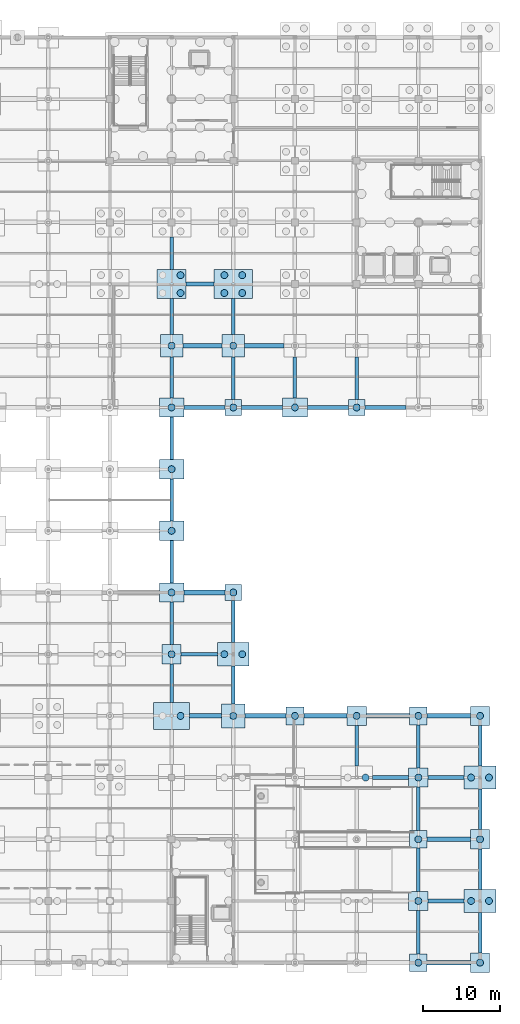
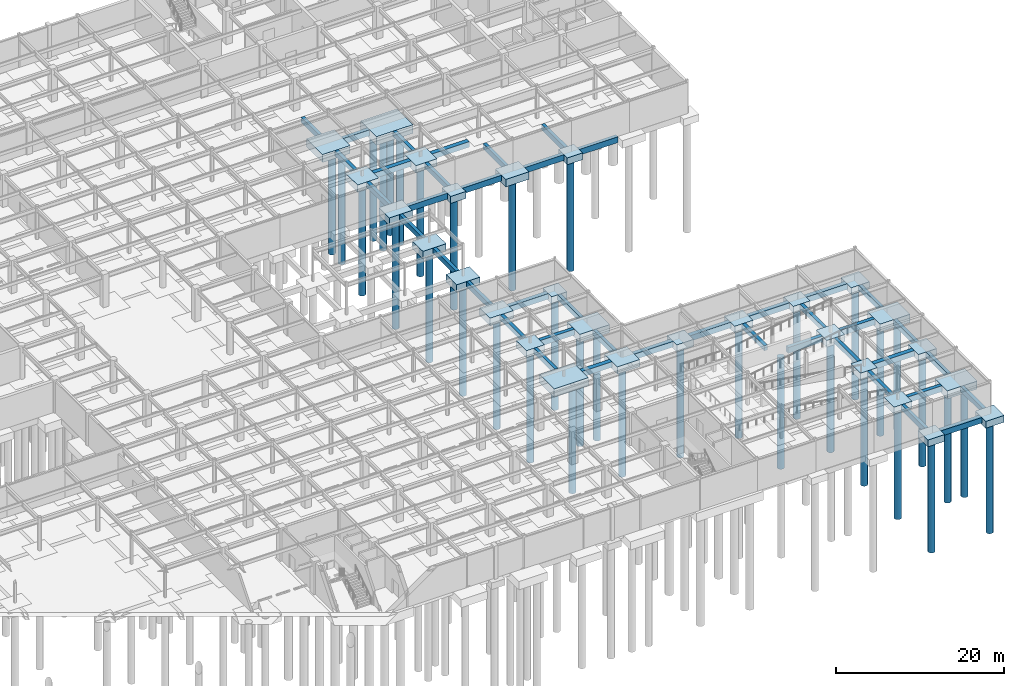
# One storey, part 10 of 105: 70 footings, 36 piles.
"""IFC4 building model written with IfcOpenShell, lengths in metres."""

from ifc_helpers import new_model, si_unit, direction, frame, origin, origin_2d, place, context, subcontext, project, spatial, rectangle, circle, extrude, material, material_profile, profile_set, type_object, element, save


model = new_model("IFC4")

# Units and contexts
model_context = context("Model", 3, precision=1e-05, world=origin(), true_north=direction((0.0, 1.0)))
body_context = subcontext(model_context, "Body", "Model", "MODEL_VIEW")
ifc_project = project(units=[si_unit("LENGTHUNIT", "METRE"), si_unit("AREAUNIT", "SQUARE_METRE"), si_unit("VOLUMEUNIT", "CUBIC_METRE"), si_unit("PLANEANGLEUNIT", "RADIAN"), si_unit("MASSUNIT", "GRAM", prefix="KILO")], contexts=[model_context])

# Site, building, storey
site_placement = place(None, origin())
site = spatial("IfcSite", under=ifc_project, at=site_placement, CompositionType="ELEMENT")
building_placement = place(site_placement, origin())
building = spatial("IfcBuilding", under=site, at=building_placement, Name="Solmirada Galleria", CompositionType="ELEMENT")
storey_placement = place(building_placement, frame((0.0, 0.0, -4.800048828125)))
storey = spatial("IfcBuildingStorey", under=building, at=storey_placement, Name="B1", CompositionType="ELEMENT", Elevation=-4.800048828125)

# Footings
ifc_material_1 = material(Name="Concrete C35/45", Category="concrete")
footing_type_1 = type_object("IfcFootingType", Name="PC-01", PredefinedType="PILE_CAP", material=ifc_material_1)
for number, where, z_axis, x_axis, name in (
    (1, (144.0, 48.0, -1.0), (0.0, 0.0, 1.0), (1.0, 0.0, 0.0), "Pile cap at (144.0, 48.0)"),
    (2, (144.0, 72.0, -1.0), (0.0, 0.0, 1.0), (1.0, 0.0, 0.0), "Pile cap at (144.0, 72.0)"),
    (3, (160.0, 72.0, -1.0), (0.0, 0.0, 1.0), (1.0, 0.0, 0.0), "Pile cap at (160.0, 72.0)"),
):
    element("IfcFooting", number, at=place(storey_placement, frame(where, z_axis=z_axis, x_axis=x_axis)), inside=storey, type_object=footing_type_1, Name=name, PredefinedType="PILE_CAP", context=body_context, shape_type="SweptSolid", body=[
        extrude(rectangle(XDim=2.10009765625, YDim=2.10009765625, at=origin_2d()), origin(), (0.0, 0.0, 1.0), 1.0),
    ])
footing_type_2 = type_object("IfcFootingType", Name="PC-02", PredefinedType="PILE_CAP", material=ifc_material_1)
for number, where, z_axis, x_axis, name in (
    (4, (136.0, 40.0, -1.0), (0.0, 0.0, 1.0), (1.0, 0.0, 0.0), "Pile cap at (136.0, 40.0)"),
    (5, (160.0, 32.0, -1.0), (0.0, 0.0, 1.0), (1.0, 0.0, 0.0), "Pile cap at (160.0, 32.0)"),
    (6, (168.0, 8.0, -1.0), (0.0, 0.0, 1.0), (1.0, 0.0, 0.0), "Pile cap at (168.0, 8.0)"),
    (7, (168.0, 24.0, -1.0), (0.0, 0.0, 1.0), (1.0, 0.0, 0.0), "Pile cap at (168.0, 24.0)"),
    (8, (176.0, 0.0, -1.0), (0.0, 0.0, 1.0), (1.0, 0.0, 0.0), "Pile cap at (176.0, 0.0)"),
    (9, (176.0, 16.0, -1.0), (0.0, 0.0, 1.0), (1.0, 0.0, 0.0), "Pile cap at (176.0, 16.0)"),
    (10, (176.0, 32.0, -1.0), (0.0, 0.0, 1.0), (1.0, 0.0, 0.0), "Pile cap at (176.0, 32.0)"),
):
    element("IfcFooting", number, at=place(storey_placement, frame(where, z_axis=z_axis, x_axis=x_axis)), inside=storey, type_object=footing_type_2, Name=name, PredefinedType="PILE_CAP", context=body_context, shape_type="SweptSolid", body=[
        extrude(rectangle(XDim=2.5, YDim=2.5, at=origin_2d()), origin(), (0.0, 0.0, 1.0), 1.0),
    ])
footing_type_3 = type_object("IfcFootingType", Name="PC-03", PredefinedType="PILE_CAP", material=ifc_material_1)
for number, where, z_axis, x_axis, name in (
    (11, (136.0, 80.0, -1.0498046875), (0.0, 0.0, 1.0), (1.0, 0.0, 0.0), "Pile cap at (136.0, 80.0)"),
    (12, (144.0, 80.0, -1.0498046875), (0.0, 0.0, 1.0), (1.0, 0.0, 0.0), "Pile cap at (144.0, 80.0)"),
):
    element("IfcFooting", number, at=place(storey_placement, frame(where, z_axis=z_axis, x_axis=x_axis)), inside=storey, type_object=footing_type_3, Name=name, PredefinedType="PILE_CAP", context=body_context, shape_type="SweptSolid", body=[
        extrude(rectangle(XDim=2.89990234375, YDim=2.89990234375, at=origin_2d()), origin(), (0.0, 0.0, 1.0), 1.050048828125),
    ])
footing_type_4 = type_object("IfcFootingType", Name="PC-05", PredefinedType="PILE_CAP", material=ifc_material_1)
footing_1_placement = place(storey_placement, frame((136.0, 88.0, -1.14990234375), z_axis=(0.0, 0.0, 1.0), x_axis=(1.0, 0.0, 0.0)))
element("IfcFooting", 13, at=footing_1_placement, inside=storey, type_object=footing_type_4, Name="Pile cap at (136.0, 88.0)", PredefinedType="PILE_CAP", context=body_context, shape_type="SweptSolid", body=[
    extrude(rectangle(XDim=3.800048828125, YDim=3.800048828125, at=origin_2d()), origin(), (0.0, 0.0, 1.0), 1.14990234375),
])
footing_type_5 = type_object("IfcFootingType", Name="PC-06", PredefinedType="PILE_CAP", material=ifc_material_1)
for number, where, z_axis, x_axis, name in (
    (14, (144.0, 40.0, -1.14990234375), (0.0, 0.0, 1.0), (1.0, 0.0, 0.0), "Pile cap at (144.0, 40.0)"),
    (15, (176.0, 8.0, -1.14990234375), (0.0, 0.0, 1.0), (1.0, 0.0, 0.0), "Pile cap at (176.0, 8.0)"),
    (16, (176.0, 24.0, -1.14990234375), (0.0, 0.0, 1.0), (1.0, 0.0, 0.0), "Pile cap at (176.0, 24.0)"),
):
    element("IfcFooting", number, at=place(storey_placement, frame(where, z_axis=z_axis, x_axis=x_axis)), inside=storey, type_object=footing_type_5, Name=name, PredefinedType="PILE_CAP", context=body_context, shape_type="SweptSolid", body=[
        extrude(rectangle(XDim=4.10009765625, YDim=3.0, at=origin_2d()), origin(), (0.0, 0.0, 1.0), 1.14990234375),
    ])
footing_type_6 = type_object("IfcFootingType", Name="PC-08", PredefinedType="PILE_CAP", material=ifc_material_1)
footing_2_placement = place(storey_placement, frame((136.0, 32.0, -1.19970703125), z_axis=(0.0, 0.0, 1.0), x_axis=(1.0, 0.0, 0.0)))
element("IfcFooting", 17, at=footing_2_placement, inside=storey, type_object=footing_type_6, Name="Pile cap at (136.0, 32.0)", PredefinedType="PILE_CAP", context=body_context, shape_type="SweptSolid", body=[
    extrude(rectangle(XDim=4.699951171875, YDim=3.5, at=origin_2d()), origin(), (0.0, 0.0, 1.0), 1.199951171875),
])
footing_type_7 = type_object("IfcFootingType", Name="PC-09", PredefinedType="PILE_CAP", material=ifc_material_1)
footing_3_placement = place(storey_placement, frame((144.0, 88.0, -1.25), z_axis=(0.0, 0.0, 1.0), x_axis=(1.0, 0.0, 0.0)))
element("IfcFooting", 18, at=footing_3_placement, inside=storey, type_object=footing_type_7, Name="Pile cap at (144.0, 88.0)", PredefinedType="PILE_CAP", context=body_context, shape_type="SweptSolid", body=[
    extrude(rectangle(XDim=5.0, YDim=3.800048828125, at=origin_2d()), origin(), (0.0, 0.0, 1.0), 1.25),
])
footing_type_8 = type_object("IfcFootingType", Name="PC-10", PredefinedType="PILE_CAP", material=ifc_material_1)
for number, where, z_axis, x_axis, name in (
    (19, (136.0, 48.0, -1.10009765625), (0.0, 0.0, 1.0), (1.0, 0.0, 0.0), "Pile cap at (136.0, 48.0)"),
    (20, (136.0, 56.0, -1.10009765625), (0.0, 0.0, 1.0), (1.0, 0.0, 0.0), "Pile cap at (136.0, 56.0)"),
    (21, (136.0, 64.0, -1.10009765625), (0.0, 0.0, 1.0), (1.0, 0.0, 0.0), "Pile cap at (136.0, 64.0)"),
    (22, (136.0, 72.0, -1.10009765625), (0.0, 0.0, 1.0), (1.0, 0.0, 0.0), "Pile cap at (136.0, 72.0)"),
    (23, (152.0, 72.0, -1.10009765625), (0.0, 0.0, 1.0), (1.0, 0.0, 0.0), "Pile cap at (152.0, 72.0)"),
):
    element("IfcFooting", number, at=place(storey_placement, frame(where, z_axis=z_axis, x_axis=x_axis)), inside=storey, type_object=footing_type_8, Name=name, PredefinedType="PILE_CAP", context=body_context, shape_type="SweptSolid", body=[
        extrude(rectangle(XDim=3.199951171875, YDim=2.5, at=origin_2d()), origin(), (0.0, 0.0, 1.0), 1.10009765625),
    ])
footing_type_9 = type_object("IfcFootingType", Name="PC-18", PredefinedType="PILE_CAP", material=ifc_material_1)
for number, where, z_axis, x_axis, name in (
    (24, (152.0, 32.0, -1.0), (0.0, 0.0, 1.0), (1.0, 0.0, 0.0), "Pile cap at (152.0, 32.0)"),
    (25, (168.0, 0.0, -1.0), (0.0, 0.0, 1.0), (1.0, 0.0, 0.0), "Pile cap at (168.0, 0.0)"),
    (26, (168.0, 16.0, -1.0), (0.0, 0.0, 1.0), (1.0, 0.0, 0.0), "Pile cap at (168.0, 16.0)"),
    (27, (168.0, 32.0, -1.0), (0.0, 0.0, 1.0), (1.0, 0.0, 0.0), "Pile cap at (168.0, 32.0)"),
):
    element("IfcFooting", number, at=place(storey_placement, frame(where, z_axis=z_axis, x_axis=x_axis)), inside=storey, type_object=footing_type_9, Name=name, PredefinedType="PILE_CAP", context=body_context, shape_type="SweptSolid", body=[
        extrude(rectangle(XDim=2.300048828125, YDim=2.300048828125, at=origin_2d()), origin(), (0.0, 0.0, 1.0), 1.0),
    ])
footing_type_10 = type_object("IfcFootingType", Name="PC-20", PredefinedType="PILE_CAP", material=ifc_material_1)
footing_4_placement = place(storey_placement, frame((144.0, 32.0, -1.0498046875), z_axis=(0.0, 0.0, 1.0), x_axis=(1.0, 0.0, 0.0)))
element("IfcFooting", 28, at=footing_4_placement, inside=storey, type_object=footing_type_10, Name="Pile cap at (144.0, 32.0)", PredefinedType="PILE_CAP", context=body_context, shape_type="SweptSolid", body=[
    extrude(rectangle(XDim=3.10009765625, YDim=3.10009765625, at=origin_2d()), origin(), (0.0, 0.0, 1.0), 1.050048828125),
])

# Piles
ifc_material_2 = material(Name="Concrete C40/50", Category="concrete")
ifc_material_profile_1 = material_profile(ifc_material_2, circle(Radius=0.449951171875, at=origin_2d()), Name="PILE900")
ifc_profile_set_1 = profile_set([ifc_material_profile_1], Name="Concrete C40/50")
pile_type = type_object("IfcPileType", Name="PILE-900", PredefinedType="BORED", material=ifc_profile_set_1)
pile_1_placement = place(storey_placement, frame((137.159912109375, 32.0, -1.099853515625), z_axis=(0.0, 0.0, -1.0), x_axis=(1.0, 0.0, 0.0)))
element("IfcPile", 29, at=pile_1_placement, inside=storey, type_object=pile_type, Name="Bored pile at (137.16, 32.00)", PredefinedType="BORED", context=body_context, shape_type="SweptSolid", body=[
    extrude(circle(Radius=0.449951171875, at=origin_2d()), origin(), (0.0, 0.0, 1.0), 16.10009765625),
])
pile_2_placement = place(storey_placement, frame((136.0, 40.0, -0.89990234375), z_axis=(0.0, 0.0, -1.0), x_axis=(1.0, 0.0, 0.0)))
element("IfcPile", 30, at=pile_2_placement, inside=storey, type_object=pile_type, Name="Bored pile at (136.00, 40.00)", PredefinedType="BORED", context=body_context, shape_type="SweptSolid", body=[
    extrude(circle(Radius=0.449951171875, at=origin_2d()), origin(), (0.0, 0.0, 1.0), 16.300048828125),
])
for number, where, z_axis, x_axis, name in (
    (31, (136.0, 48.0, -1.0), (0.0, 0.0, -1.0), (1.0, 0.0, 0.0), "Bored pile at (136.00, 48.00)"),
    (32, (136.0, 56.0, -1.0), (0.0, 0.0, -1.0), (1.0, 0.0, 0.0), "Bored pile at (136.00, 56.00)"),
    (33, (136.0, 64.0, -1.0), (0.0, 0.0, -1.0), (1.0, 0.0, 0.0), "Bored pile at (136.00, 64.00)"),
    (34, (136.0, 72.0, -1.0), (0.0, 0.0, -1.0), (1.0, 0.0, 0.0), "Bored pile at (136.00, 72.00)"),
):
    element("IfcPile", number, at=place(storey_placement, frame(where, z_axis=z_axis, x_axis=x_axis)), inside=storey, type_object=pile_type, Name=name, PredefinedType="BORED", context=body_context, shape_type="SweptSolid", body=[
        extrude(circle(Radius=0.449951171875, at=origin_2d()), origin(), (0.0, 0.0, 1.0), 16.199951171875),
    ])
pile_3_placement = place(storey_placement, frame((136.0, 80.0, -0.949951171875), z_axis=(0.0, 0.0, -1.0), x_axis=(1.0, 0.0, 0.0)))
element("IfcPile", 35, at=pile_3_placement, inside=storey, type_object=pile_type, Name="Bored pile at (136.00, 80.00)", PredefinedType="BORED", context=body_context, shape_type="SweptSolid", body=[
    extrude(circle(Radius=0.449951171875, at=origin_2d()), origin(), (0.0, 0.0, 1.0), 16.25),
])
for number, where, z_axis, x_axis, name in (
    (36, (137.159912109375, 86.840087890625, -1.050048828125), (0.0, 0.0, -1.0), (1.0, 0.0, 0.0), "Bored pile at (137.16, 86.84)"),
    (37, (137.159912109375, 89.159912109375, -1.050048828125), (0.0, 0.0, -1.0), (1.0, 0.0, 0.0), "Bored pile at (137.16, 89.16)"),
):
    element("IfcPile", number, at=place(storey_placement, frame(where, z_axis=z_axis, x_axis=x_axis)), inside=storey, type_object=pile_type, Name=name, PredefinedType="BORED", context=body_context, shape_type="SweptSolid", body=[
        extrude(circle(Radius=0.449951171875, at=origin_2d()), origin(), (0.0, 0.0, 1.0), 16.14990234375),
    ])
pile_4_placement = place(storey_placement, frame((144.0, 32.0, -0.949951171875), z_axis=(0.0, 0.0, -1.0), x_axis=(1.0, 0.0, 0.0)))
element("IfcPile", 38, at=pile_4_placement, inside=storey, type_object=pile_type, Name="Bored pile at (144.00, 32.00)", PredefinedType="BORED", context=body_context, shape_type="SweptSolid", body=[
    extrude(circle(Radius=0.449951171875, at=origin_2d()), origin(), (0.0, 0.0, 1.0), 16.25),
])
for number, where, z_axis, x_axis, name in (
    (39, (142.840087890625, 40.0, -1.050048828125), (0.0, 0.0, -1.0), (1.0, 0.0, 0.0), "Bored pile at (142.84, 40.00)"),
    (40, (145.159912109375, 40.0, -1.050048828125), (0.0, 0.0, -1.0), (1.0, 0.0, 0.0), "Bored pile at (145.16, 40.00)"),
):
    element("IfcPile", number, at=place(storey_placement, frame(where, z_axis=z_axis, x_axis=x_axis)), inside=storey, type_object=pile_type, Name=name, PredefinedType="BORED", context=body_context, shape_type="SweptSolid", body=[
        extrude(circle(Radius=0.449951171875, at=origin_2d()), origin(), (0.0, 0.0, 1.0), 16.14990234375),
    ])
for number, where, z_axis, x_axis, name in (
    (41, (144.0, 48.0, -0.89990234375), (0.0, 0.0, -1.0), (1.0, 0.0, 0.0), "Bored pile at (144.00, 48.00)"),
    (42, (144.0, 72.0, -0.89990234375), (0.0, 0.0, -1.0), (1.0, 0.0, 0.0), "Bored pile at (144.00, 72.00)"),
):
    element("IfcPile", number, at=place(storey_placement, frame(where, z_axis=z_axis, x_axis=x_axis)), inside=storey, type_object=pile_type, Name=name, PredefinedType="BORED", context=body_context, shape_type="SweptSolid", body=[
        extrude(circle(Radius=0.449951171875, at=origin_2d()), origin(), (0.0, 0.0, 1.0), 16.300048828125),
    ])
pile_5_placement = place(storey_placement, frame((144.0, 80.0, -0.949951171875), z_axis=(0.0, 0.0, -1.0), x_axis=(1.0, 0.0, 0.0)))
element("IfcPile", 43, at=pile_5_placement, inside=storey, type_object=pile_type, Name="Bored pile at (144.00, 80.00)", PredefinedType="BORED", context=body_context, shape_type="SweptSolid", body=[
    extrude(circle(Radius=0.449951171875, at=origin_2d()), origin(), (0.0, 0.0, 1.0), 16.25),
])
for number, where, z_axis, x_axis, name in (
    (44, (142.840087890625, 86.840087890625, -1.14990234375), (0.0, 0.0, -1.0), (1.0, 0.0, 0.0), "Bored pile at (142.84, 86.84)"),
    (45, (145.159912109375, 86.840087890625, -1.14990234375), (0.0, 0.0, -1.0), (1.0, 0.0, 0.0), "Bored pile at (145.16, 86.84)"),
    (46, (142.840087890625, 89.159912109375, -1.14990234375), (0.0, 0.0, -1.0), (1.0, 0.0, 0.0), "Bored pile at (142.84, 89.16)"),
    (47, (145.159912109375, 89.159912109375, -1.14990234375), (0.0, 0.0, -1.0), (1.0, 0.0, 0.0), "Bored pile at (145.16, 89.16)"),
):
    element("IfcPile", number, at=place(storey_placement, frame(where, z_axis=z_axis, x_axis=x_axis)), inside=storey, type_object=pile_type, Name=name, PredefinedType="BORED", context=body_context, shape_type="SweptSolid", body=[
        extrude(circle(Radius=0.449951171875, at=origin_2d()), origin(), (0.0, 0.0, 1.0), 16.050048828125),
    ])
pile_6_placement = place(storey_placement, frame((152.0, 32.0, -0.89990234375), z_axis=(0.0, 0.0, -1.0), x_axis=(1.0, 0.0, 0.0)))
element("IfcPile", 48, at=pile_6_placement, inside=storey, type_object=pile_type, Name="Bored pile at (152.00, 32.00)", PredefinedType="BORED", context=body_context, shape_type="SweptSolid", body=[
    extrude(circle(Radius=0.449951171875, at=origin_2d()), origin(), (0.0, 0.0, 1.0), 16.300048828125),
])
pile_7_placement = place(storey_placement, frame((152.0, 72.0, -1.0), z_axis=(0.0, 0.0, -1.0), x_axis=(1.0, 0.0, 0.0)))
element("IfcPile", 49, at=pile_7_placement, inside=storey, type_object=pile_type, Name="Bored pile at (152.00, 72.00)", PredefinedType="BORED", context=body_context, shape_type="SweptSolid", body=[
    extrude(circle(Radius=0.449951171875, at=origin_2d()), origin(), (0.0, 0.0, 1.0), 16.199951171875),
])
pile_8_placement = place(storey_placement, frame((161.159912109375, 24.0, -1.050048828125), z_axis=(0.0, 0.0, -1.0), x_axis=(1.0, 0.0, 0.0)))
element("IfcPile", 50, at=pile_8_placement, inside=storey, type_object=pile_type, Name="Bored pile at (161.16, 24.00)", PredefinedType="BORED", context=body_context, shape_type="SweptSolid", body=[
    extrude(circle(Radius=0.449951171875, at=origin_2d()), origin(), (0.0, 0.0, 1.0), 16.14990234375),
])
for number, where, z_axis, x_axis, name in (
    (51, (160.0, 32.0, -0.89990234375), (0.0, 0.0, -1.0), (1.0, 0.0, 0.0), "Bored pile at (160.00, 32.00)"),
    (52, (160.0, 72.0, -0.89990234375), (0.0, 0.0, -1.0), (1.0, 0.0, 0.0), "Bored pile at (160.00, 72.00)"),
    (53, (168.0, 0.0, -0.89990234375), (0.0, 0.0, -1.0), (1.0, 0.0, 0.0), "Bored pile at (168.00, 0.00)"),
    (54, (168.0, 8.0, -0.89990234375), (0.0, 0.0, -1.0), (1.0, 0.0, 0.0), "Bored pile at (168.00, 8.00)"),
    (55, (168.0, 16.0, -0.89990234375), (0.0, 0.0, -1.0), (1.0, 0.0, 0.0), "Bored pile at (168.00, 16.00)"),
    (56, (168.0, 24.0, -0.89990234375), (0.0, 0.0, -1.0), (1.0, 0.0, 0.0), "Bored pile at (168.00, 24.00)"),
    (57, (168.0, 32.0, -0.89990234375), (0.0, 0.0, -1.0), (1.0, 0.0, 0.0), "Bored pile at (168.00, 32.00)"),
    (58, (176.0, 0.0, -0.89990234375), (0.0, 0.0, -1.0), (1.0, 0.0, 0.0), "Bored pile at (176.00, 0.00)"),
):
    element("IfcPile", number, at=place(storey_placement, frame(where, z_axis=z_axis, x_axis=x_axis)), inside=storey, type_object=pile_type, Name=name, PredefinedType="BORED", context=body_context, shape_type="SweptSolid", body=[
        extrude(circle(Radius=0.449951171875, at=origin_2d()), origin(), (0.0, 0.0, 1.0), 16.300048828125),
    ])
for number, where, z_axis, x_axis, name in (
    (59, (174.840087890625, 8.0, -1.050048828125), (0.0, 0.0, -1.0), (1.0, 0.0, 0.0), "Bored pile at (174.84, 8.00)"),
    (60, (177.159912109375, 8.0, -1.050048828125), (0.0, 0.0, -1.0), (1.0, 0.0, 0.0), "Bored pile at (177.16, 8.00)"),
):
    element("IfcPile", number, at=place(storey_placement, frame(where, z_axis=z_axis, x_axis=x_axis)), inside=storey, type_object=pile_type, Name=name, PredefinedType="BORED", context=body_context, shape_type="SweptSolid", body=[
        extrude(circle(Radius=0.449951171875, at=origin_2d()), origin(), (0.0, 0.0, 1.0), 16.14990234375),
    ])
pile_9_placement = place(storey_placement, frame((176.0, 16.0, -0.89990234375), z_axis=(0.0, 0.0, -1.0), x_axis=(1.0, 0.0, 0.0)))
element("IfcPile", 61, at=pile_9_placement, inside=storey, type_object=pile_type, Name="Bored pile at (176.00, 16.00)", PredefinedType="BORED", context=body_context, shape_type="SweptSolid", body=[
    extrude(circle(Radius=0.449951171875, at=origin_2d()), origin(), (0.0, 0.0, 1.0), 16.300048828125),
])
for number, where, z_axis, x_axis, name in (
    (62, (174.840087890625, 24.0, -1.050048828125), (0.0, 0.0, -1.0), (1.0, 0.0, 0.0), "Bored pile at (174.84, 24.00)"),
    (63, (177.159912109375, 24.0, -1.050048828125), (0.0, 0.0, -1.0), (1.0, 0.0, 0.0), "Bored pile at (177.16, 24.00)"),
):
    element("IfcPile", number, at=place(storey_placement, frame(where, z_axis=z_axis, x_axis=x_axis)), inside=storey, type_object=pile_type, Name=name, PredefinedType="BORED", context=body_context, shape_type="SweptSolid", body=[
        extrude(circle(Radius=0.449951171875, at=origin_2d()), origin(), (0.0, 0.0, 1.0), 16.14990234375),
    ])
pile_10_placement = place(storey_placement, frame((176.0, 32.0, -0.89990234375), z_axis=(0.0, 0.0, -1.0), x_axis=(1.0, 0.0, 0.0)))
element("IfcPile", 64, at=pile_10_placement, inside=storey, type_object=pile_type, Name="Bored pile at (176.00, 32.00)", PredefinedType="BORED", context=body_context, shape_type="SweptSolid", body=[
    extrude(circle(Radius=0.449951171875, at=origin_2d()), origin(), (0.0, 0.0, 1.0), 16.300048828125),
])

# Footings
ifc_material_profile_2 = material_profile(ifc_material_1, rectangle(XDim=0.449951171875, YDim=0.75, at=origin_2d()), Name="RC750X450")
ifc_profile_set_2 = profile_set([ifc_material_profile_2], Name="Concrete C35/45")
footing_type_11 = type_object("IfcFootingType", Name="TB-750X450", PredefinedType="FOOTING_BEAM", material=ifc_profile_set_2)
footing_5_placement = place(storey_placement, frame((136.0, 33.75, -0.375), z_axis=(0.0, 1.0, 0.0), x_axis=(-1.0, 0.0, 0.0)))
element("IfcFooting", 65, at=footing_5_placement, inside=storey, type_object=footing_type_11, Name="Foundation tie beam Y (136, 32..40)", PredefinedType="FOOTING_BEAM", context=body_context, shape_type="SweptSolid", body=[
    extrude(rectangle(XDim=0.449951171875, YDim=0.75, at=origin_2d()), origin(), (0.0, 0.0, 1.0), 5.0),
])
for number, where, z_axis, x_axis, name in (
    (66, (136.0, 41.25, -0.375), (0.0, 1.0, 0.0), (-1.0, 0.0, 0.0), "Foundation tie beam Y (136, 40..48)"),
    (67, (136.0, 49.25, -0.375), (0.0, 1.0, 0.0), (-1.0, 0.0, 0.0), "Foundation tie beam Y (136, 48..56)"),
    (68, (136.0, 57.25, -0.375), (0.0, 1.0, 0.0), (-1.0, 0.0, 0.0), "Foundation tie beam Y (136, 56..64)"),
    (69, (136.0, 65.25, -0.375), (0.0, 1.0, 0.0), (-1.0, 0.0, 0.0), "Foundation tie beam Y (136, 64..72)"),
):
    element("IfcFooting", number, at=place(storey_placement, frame(where, z_axis=z_axis, x_axis=x_axis)), inside=storey, type_object=footing_type_11, Name=name, PredefinedType="FOOTING_BEAM", context=body_context, shape_type="SweptSolid", body=[
        extrude(rectangle(XDim=0.449951171875, YDim=0.75, at=origin_2d()), origin(), (0.0, 0.0, 1.0), 5.5),
    ])
footing_6_placement = place(storey_placement, frame((136.0, 73.25, -0.375), z_axis=(0.0, 1.0, 0.0), x_axis=(-1.0, 0.0, 0.0)))
element("IfcFooting", 70, at=footing_6_placement, inside=storey, type_object=footing_type_11, Name="Foundation tie beam Y (136, 72..80)", PredefinedType="FOOTING_BEAM", context=body_context, shape_type="SweptSolid", body=[
    extrude(rectangle(XDim=0.449951171875, YDim=0.75, at=origin_2d()), origin(), (0.0, 0.0, 1.0), 5.300048828125),
])
footing_7_placement = place(storey_placement, frame((136.0, 81.449951171875, -0.375), z_axis=(0.0, 1.0, 0.0), x_axis=(-1.0, 0.0, 0.0)))
element("IfcFooting", 71, at=footing_7_placement, inside=storey, type_object=footing_type_11, Name="Foundation tie beam Y (136, 80..88)", PredefinedType="FOOTING_BEAM", context=body_context, shape_type="SweptSolid", body=[
    extrude(rectangle(XDim=0.449951171875, YDim=0.75, at=origin_2d()), origin(), (0.0, 0.0, 1.0), 4.650146484375),
])
footing_8_placement = place(storey_placement, frame((136.0, 89.89990234375, -0.375), z_axis=(0.0, 1.0, 0.0), x_axis=(-1.0, 0.0, 0.0)))
element("IfcFooting", 72, at=footing_8_placement, inside=storey, type_object=footing_type_11, Name="Foundation tie beam Y (136, 88..96)", PredefinedType="FOOTING_BEAM", context=body_context, shape_type="SweptSolid", body=[
    extrude(rectangle(XDim=0.449951171875, YDim=0.75, at=origin_2d()), origin(), (0.0, 0.0, 1.0), 4.2001953125),
])
footing_9_placement = place(storey_placement, frame((144.0, 33.550048828125, -0.375), z_axis=(0.0, 1.0, 0.0), x_axis=(-1.0, 0.0, 0.0)))
element("IfcFooting", 73, at=footing_9_placement, inside=storey, type_object=footing_type_11, Name="Foundation tie beam Y (144, 32..40)", PredefinedType="FOOTING_BEAM", context=body_context, shape_type="SweptSolid", body=[
    extrude(rectangle(XDim=0.449951171875, YDim=0.75, at=origin_2d()), origin(), (0.0, 0.0, 1.0), 4.949951171875),
])
footing_10_placement = place(storey_placement, frame((144.0, 41.5, -0.375), z_axis=(0.0, 1.0, 0.0), x_axis=(-1.0, 0.0, 0.0)))
element("IfcFooting", 74, at=footing_10_placement, inside=storey, type_object=footing_type_11, Name="Foundation tie beam Y (144, 40..48)", PredefinedType="FOOTING_BEAM", context=body_context, shape_type="SweptSolid", body=[
    extrude(rectangle(XDim=0.449951171875, YDim=0.75, at=origin_2d()), origin(), (0.0, 0.0, 1.0), 5.449951171875),
])
footing_11_placement = place(storey_placement, frame((144.0, 73.050048828125, -0.375), z_axis=(0.0, 1.0, 0.0), x_axis=(-1.0, 0.0, 0.0)))
element("IfcFooting", 75, at=footing_11_placement, inside=storey, type_object=footing_type_11, Name="Foundation tie beam Y (144, 72..80)", PredefinedType="FOOTING_BEAM", context=body_context, shape_type="SweptSolid", body=[
    extrude(rectangle(XDim=0.449951171875, YDim=0.75, at=origin_2d()), origin(), (0.0, 0.0, 1.0), 5.5),
])
footing_12_placement = place(storey_placement, frame((144.0, 81.449951171875, -0.375), z_axis=(0.0, 1.0, 0.0), x_axis=(-1.0, 0.0, 0.0)))
element("IfcFooting", 76, at=footing_12_placement, inside=storey, type_object=footing_type_11, Name="Foundation tie beam Y (144, 80..88)", PredefinedType="FOOTING_BEAM", context=body_context, shape_type="SweptSolid", body=[
    extrude(rectangle(XDim=0.449951171875, YDim=0.75, at=origin_2d()), origin(), (0.0, 0.0, 1.0), 4.650146484375),
])
footing_13_placement = place(storey_placement, frame((152.0, 73.25, -0.375), z_axis=(0.0, 1.0, 0.0), x_axis=(-1.0, 0.0, 0.0)))
element("IfcFooting", 77, at=footing_13_placement, inside=storey, type_object=footing_type_11, Name="Foundation tie beam Y (152, 72..80)", PredefinedType="FOOTING_BEAM", context=body_context, shape_type="SweptSolid", body=[
    extrude(rectangle(XDim=0.449951171875, YDim=0.75, at=origin_2d()), origin(), (0.0, 0.0, 1.0), 5.300048828125),
])
footing_14_placement = place(storey_placement, frame((160.0, 25.5, -0.375), z_axis=(0.0, 1.0, 0.0), x_axis=(-1.0, 0.0, 0.0)))
element("IfcFooting", 78, at=footing_14_placement, inside=storey, type_object=footing_type_11, Name="Foundation tie beam Y (160, 24..32)", PredefinedType="FOOTING_BEAM", context=body_context, shape_type="SweptSolid", body=[
    extrude(rectangle(XDim=0.449951171875, YDim=0.75, at=origin_2d()), origin(), (0.0, 0.0, 1.0), 5.25),
])
footing_15_placement = place(storey_placement, frame((160.0, 73.050048828125, -0.375), z_axis=(0.0, 1.0, 0.0), x_axis=(-1.0, 0.0, 0.0)))
element("IfcFooting", 79, at=footing_15_placement, inside=storey, type_object=footing_type_11, Name="Foundation tie beam Y (160, 72..80)", PredefinedType="FOOTING_BEAM", context=body_context, shape_type="SweptSolid", body=[
    extrude(rectangle(XDim=0.449951171875, YDim=0.75, at=origin_2d()), origin(), (0.0, 0.0, 1.0), 5.5),
])
for number, where, z_axis, x_axis, name in (
    (80, (168.0, 1.14990234375, -0.375), (0.0, 1.0, 0.0), (-1.0, 0.0, 0.0), "Foundation tie beam Y (168, 0..8)"),
    (81, (168.0, 9.25, -0.375), (0.0, 1.0, 0.0), (-1.0, 0.0, 0.0), "Foundation tie beam Y (168, 8..16)"),
    (82, (168.0, 17.14990234375, -0.375), (0.0, 1.0, 0.0), (-1.0, 0.0, 0.0), "Foundation tie beam Y (168, 16..24)"),
    (83, (168.0, 25.25, -0.375), (0.0, 1.0, 0.0), (-1.0, 0.0, 0.0), "Foundation tie beam Y (168, 24..32)"),
):
    element("IfcFooting", number, at=place(storey_placement, frame(where, z_axis=z_axis, x_axis=x_axis)), inside=storey, type_object=footing_type_11, Name=name, PredefinedType="FOOTING_BEAM", context=body_context, shape_type="SweptSolid", body=[
        extrude(rectangle(XDim=0.449951171875, YDim=0.75, at=origin_2d()), origin(), (0.0, 0.0, 1.0), 5.60009765625),
    ])
for number, where, z_axis, x_axis, name in (
    (84, (176.0, 1.25, -0.375), (0.0, 1.0, 0.0), (-1.0, 0.0, 0.0), "Foundation tie beam Y (176, 0..8)"),
    (85, (176.0, 9.5, -0.375), (0.0, 1.0, 0.0), (-1.0, 0.0, 0.0), "Foundation tie beam Y (176, 8..16)"),
    (86, (176.0, 17.25, -0.375), (0.0, 1.0, 0.0), (-1.0, 0.0, 0.0), "Foundation tie beam Y (176, 16..24)"),
    (87, (176.0, 25.5, -0.375), (0.0, 1.0, 0.0), (-1.0, 0.0, 0.0), "Foundation tie beam Y (176, 24..32)"),
):
    element("IfcFooting", number, at=place(storey_placement, frame(where, z_axis=z_axis, x_axis=x_axis)), inside=storey, type_object=footing_type_11, Name=name, PredefinedType="FOOTING_BEAM", context=body_context, shape_type="SweptSolid", body=[
        extrude(rectangle(XDim=0.449951171875, YDim=0.75, at=origin_2d()), origin(), (0.0, 0.0, 1.0), 5.25),
    ])
ifc_material_profile_3 = material_profile(ifc_material_1, rectangle(XDim=0.60009765625, YDim=0.800048828125, at=origin_2d()), Name="RC800X600")
ifc_profile_set_3 = profile_set([ifc_material_profile_3], Name="Concrete C35/45")
footing_type_12 = type_object("IfcFootingType", Name="TB-800X600", PredefinedType="FOOTING_BEAM", material=ifc_profile_set_3)
footing_16_placement = place(storey_placement, frame((138.35009765625, 32.0, -0.39990234375), z_axis=(1.0, 0.0, 0.0), x_axis=(0.0, 1.0, 0.0)))
element("IfcFooting", 88, at=footing_16_placement, inside=storey, type_object=footing_type_12, Name="Foundation tie beam X (136..144, 32)", PredefinedType="FOOTING_BEAM", context=body_context, shape_type="SweptSolid", body=[
    extrude(rectangle(XDim=0.60009765625, YDim=0.800048828125, at=origin_2d()), origin(), (0.0, 0.0, 1.0), 4.099853515625),
])
footing_17_placement = place(storey_placement, frame((137.60009765625, 48.0, -0.39990234375), z_axis=(1.0, 0.0, 0.0), x_axis=(0.0, 1.0, 0.0)))
element("IfcFooting", 89, at=footing_17_placement, inside=storey, type_object=footing_type_12, Name="Foundation tie beam X (136..144, 48)", PredefinedType="FOOTING_BEAM", context=body_context, shape_type="SweptSolid", body=[
    extrude(rectangle(XDim=0.60009765625, YDim=0.800048828125, at=origin_2d()), origin(), (0.0, 0.0, 1.0), 5.349853515625),
])
footing_18_placement = place(storey_placement, frame((137.449951171875, 80.0, -0.39990234375), z_axis=(1.0, 0.0, 0.0), x_axis=(0.0, 1.0, 0.0)))
element("IfcFooting", 90, at=footing_18_placement, inside=storey, type_object=footing_type_12, Name="Foundation tie beam X (136..144, 80)", PredefinedType="FOOTING_BEAM", context=body_context, shape_type="SweptSolid", body=[
    extrude(rectangle(XDim=0.60009765625, YDim=0.800048828125, at=origin_2d()), origin(), (0.0, 0.0, 1.0), 5.10009765625),
])
footing_19_placement = place(storey_placement, frame((145.550048828125, 32.0, -0.39990234375), z_axis=(1.0, 0.0, 0.0), x_axis=(0.0, 1.0, 0.0)))
element("IfcFooting", 91, at=footing_19_placement, inside=storey, type_object=footing_type_12, Name="Foundation tie beam X (144..152, 32)", PredefinedType="FOOTING_BEAM", context=body_context, shape_type="SweptSolid", body=[
    extrude(rectangle(XDim=0.60009765625, YDim=0.800048828125, at=origin_2d()), origin(), (0.0, 0.0, 1.0), 5.300048828125),
])
footing_20_placement = place(storey_placement, frame((145.449951171875, 80.0, -0.39990234375), z_axis=(1.0, 0.0, 0.0), x_axis=(0.0, 1.0, 0.0)))
element("IfcFooting", 92, at=footing_20_placement, inside=storey, type_object=footing_type_12, Name="Foundation tie beam X (144..152, 80)", PredefinedType="FOOTING_BEAM", context=body_context, shape_type="SweptSolid", body=[
    extrude(rectangle(XDim=0.60009765625, YDim=0.800048828125, at=origin_2d()), origin(), (0.0, 0.0, 1.0), 5.10009765625),
])
for number, where, z_axis, x_axis, name in (
    (93, (153.14990234375, 32.0, -0.39990234375), (1.0, 0.0, 0.0), (0.0, 1.0, 0.0), "Foundation tie beam X (152..160, 32)"),
    (94, (161.25, 32.0, -0.39990234375), (1.0, 0.0, 0.0), (0.0, 1.0, 0.0), "Foundation tie beam X (160..168, 32)"),
    (95, (169.14990234375, 0.0, -0.39990234375), (1.0, 0.0, 0.0), (0.0, 1.0, 0.0), "Foundation tie beam X (168..176, 0)"),
    (96, (169.14990234375, 16.0, -0.39990234375), (1.0, 0.0, 0.0), (0.0, 1.0, 0.0), "Foundation tie beam X (168..176, 16)"),
    (97, (169.14990234375, 32.0, -0.39990234375), (1.0, 0.0, 0.0), (0.0, 1.0, 0.0), "Foundation tie beam X (168..176, 32)"),
):
    element("IfcFooting", number, at=place(storey_placement, frame(where, z_axis=z_axis, x_axis=x_axis)), inside=storey, type_object=footing_type_12, Name=name, PredefinedType="FOOTING_BEAM", context=body_context, shape_type="SweptSolid", body=[
        extrude(rectangle(XDim=0.60009765625, YDim=0.800048828125, at=origin_2d()), origin(), (0.0, 0.0, 1.0), 5.60009765625),
    ])
ifc_material_profile_4 = material_profile(ifc_material_1, rectangle(XDim=0.5, YDim=0.85009765625, at=origin_2d()), Name="RC850X500")
ifc_profile_set_4 = profile_set([ifc_material_profile_4], Name="Concrete C35/45")
footing_type_13 = type_object("IfcFootingType", Name="TB-850X500", PredefinedType="FOOTING_BEAM", material=ifc_profile_set_4)
footing_21_placement = place(storey_placement, frame((137.25, 40.0, -0.425048828125), z_axis=(1.0, 0.0, 0.0), x_axis=(0.0, 1.0, 0.0)))
element("IfcFooting", 98, at=footing_21_placement, inside=storey, type_object=footing_type_13, Name="Foundation tie beam X (136..144, 40)", PredefinedType="FOOTING_BEAM", context=body_context, shape_type="SweptSolid", body=[
    extrude(rectangle(XDim=0.5, YDim=0.85009765625, at=origin_2d()), origin(), (0.0, 0.0, 1.0), 4.699951171875),
])
footing_22_placement = place(storey_placement, frame((137.60009765625, 72.0, -0.425048828125), z_axis=(1.0, 0.0, 0.0), x_axis=(0.0, 1.0, 0.0)))
element("IfcFooting", 99, at=footing_22_placement, inside=storey, type_object=footing_type_13, Name="Foundation tie beam X (136..144, 72)", PredefinedType="FOOTING_BEAM", context=body_context, shape_type="SweptSolid", body=[
    extrude(rectangle(XDim=0.5, YDim=0.85009765625, at=origin_2d()), origin(), (0.0, 0.0, 1.0), 5.349853515625),
])
footing_23_placement = place(storey_placement, frame((137.89990234375, 88.0, -0.425048828125), z_axis=(1.0, 0.0, 0.0), x_axis=(0.0, 1.0, 0.0)))
element("IfcFooting", 100, at=footing_23_placement, inside=storey, type_object=footing_type_13, Name="Foundation tie beam X (136..144, 88)", PredefinedType="FOOTING_BEAM", context=body_context, shape_type="SweptSolid", body=[
    extrude(rectangle(XDim=0.5, YDim=0.85009765625, at=origin_2d()), origin(), (0.0, 0.0, 1.0), 3.60009765625),
])
for number, where, z_axis, x_axis, name in (
    (101, (145.050048828125, 72.0, -0.425048828125), (1.0, 0.0, 0.0), (0.0, 1.0, 0.0), "Foundation tie beam X (144..152, 72)"),
    (102, (153.60009765625, 72.0, -0.425048828125), (1.0, 0.0, 0.0), (0.0, 1.0, 0.0), "Foundation tie beam X (152..160, 72)"),
):
    element("IfcFooting", number, at=place(storey_placement, frame(where, z_axis=z_axis, x_axis=x_axis)), inside=storey, type_object=footing_type_13, Name=name, PredefinedType="FOOTING_BEAM", context=body_context, shape_type="SweptSolid", body=[
        extrude(rectangle(XDim=0.5, YDim=0.85009765625, at=origin_2d()), origin(), (0.0, 0.0, 1.0), 5.349853515625),
    ])
footing_24_placement = place(storey_placement, frame((162.050048828125, 24.0, -0.425048828125), z_axis=(1.0, 0.0, 0.0), x_axis=(0.0, 1.0, 0.0)))
element("IfcFooting", 103, at=footing_24_placement, inside=storey, type_object=footing_type_13, Name="Foundation tie beam X (160..168, 24)", PredefinedType="FOOTING_BEAM", context=body_context, shape_type="SweptSolid", body=[
    extrude(rectangle(XDim=0.5, YDim=0.85009765625, at=origin_2d()), origin(), (0.0, 0.0, 1.0), 4.699951171875),
])
footing_25_placement = place(storey_placement, frame((161.050048828125, 72.0, -0.425048828125), z_axis=(1.0, 0.0, 0.0), x_axis=(0.0, 1.0, 0.0)))
element("IfcFooting", 104, at=footing_25_placement, inside=storey, type_object=footing_type_13, Name="Foundation tie beam X (160..168, 72)", PredefinedType="FOOTING_BEAM", context=body_context, shape_type="SweptSolid", body=[
    extrude(rectangle(XDim=0.5, YDim=0.85009765625, at=origin_2d()), origin(), (0.0, 0.0, 1.0), 5.349853515625),
])
for number, where, z_axis, x_axis, name in (
    (105, (169.25, 8.0, -0.425048828125), (1.0, 0.0, 0.0), (0.0, 1.0, 0.0), "Foundation tie beam X (168..176, 8)"),
    (106, (169.25, 24.0, -0.425048828125), (1.0, 0.0, 0.0), (0.0, 1.0, 0.0), "Foundation tie beam X (168..176, 24)"),
):
    element("IfcFooting", number, at=place(storey_placement, frame(where, z_axis=z_axis, x_axis=x_axis)), inside=storey, type_object=footing_type_13, Name=name, PredefinedType="FOOTING_BEAM", context=body_context, shape_type="SweptSolid", body=[
        extrude(rectangle(XDim=0.5, YDim=0.85009765625, at=origin_2d()), origin(), (0.0, 0.0, 1.0), 4.699951171875),
    ])

save(model, "model.ifc")
